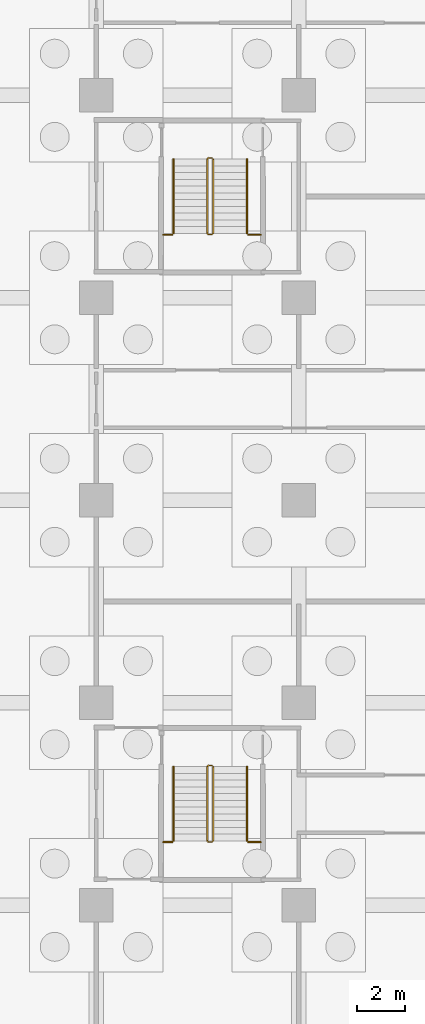
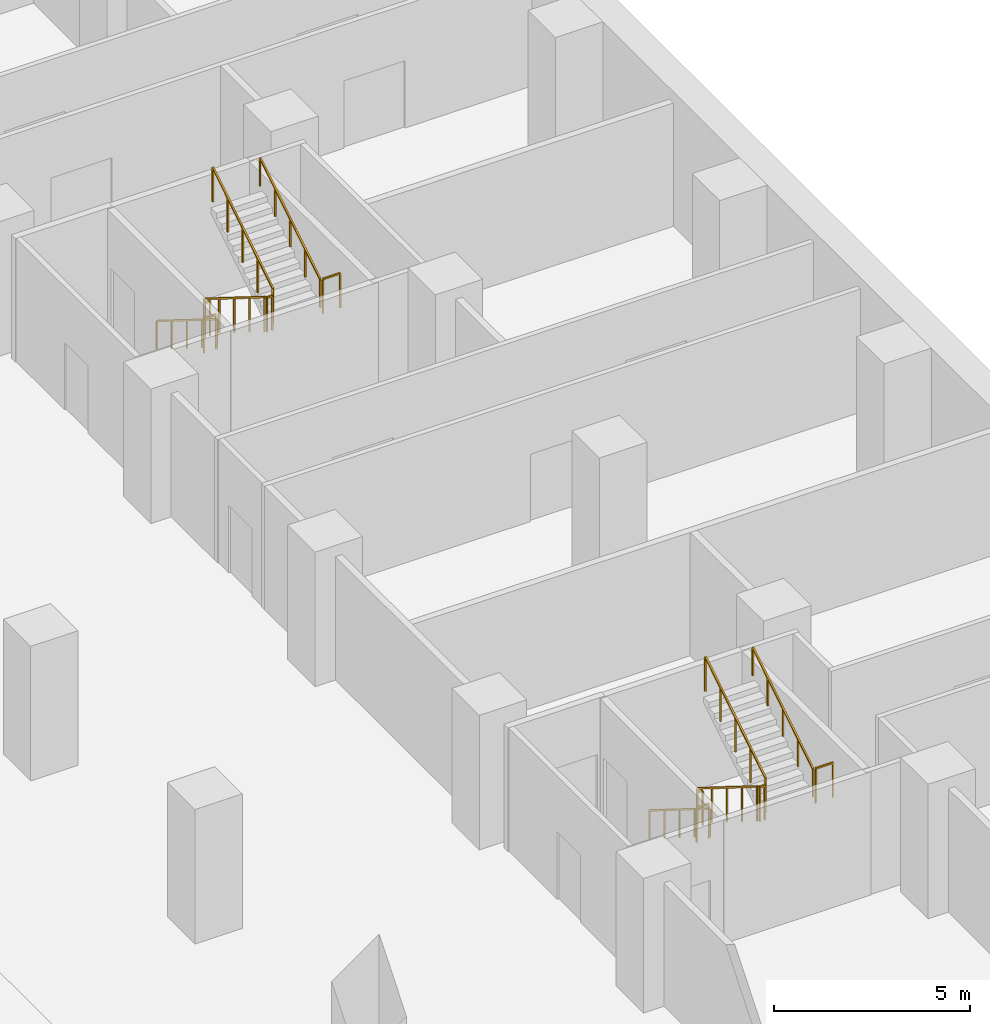
# One storey, part 19 of 22: 10 railings.
"""IFC4 building model written with IfcOpenShell, lengths in metres."""

import ifcopenshell
import ifcopenshell.guid

model = None  # the IFC model being written
_history = None  # IfcOwnerHistory: only IFC2X3 demands one
_inside = {}  # id of a spatial element -> (the spatial element, [elements in it])
_under = {}  # id of a project, library or spatial element -> (it, [spatial elements below it])
_declared = {}  # id of a project -> (the project, [libraries it declares])
_typed = {}  # id of a type object -> (the type object, [elements of that type])
_made_of = {}  # id of a material, layer set ... -> (it, [elements and type objects made of it])


def new_model(schema):
    """Start an empty IFC model of exactly this schema.

    Asked for "IFC4X3", IfcOpenShell would pick the latest addendum, in which some entities
    have other attributes; the version numbers below select the first issue.
    IFC2X3 requires an IfcOwnerHistory on every rooted entity: one is made here for all.
    """
    global model, _history
    if schema == "IFC4X3":
        model = ifcopenshell.file(schema_version=(4, 3, 0, 0))
    else:
        model = ifcopenshell.file(schema=schema)
    _inside.clear()
    _under.clear()
    _declared.clear()
    _typed.clear()
    _made_of.clear()
    _history = None
    if model.schema == "IFC2X3":
        org = make("IfcOrganization", Name="unknown")
        user = make(
            "IfcPersonAndOrganization",
            ThePerson=make("IfcPerson", FamilyName="unknown"),
            TheOrganization=org,
        )
        app = make(
            "IfcApplication",
            ApplicationDeveloper=org,
            Version="unknown",
            ApplicationFullName="unknown",
            ApplicationIdentifier="unknown",
        )
        _history = make(
            "IfcOwnerHistory",
            OwningUser=user,
            OwningApplication=app,
            ChangeAction="ADDED",
            CreationDate=0,
        )
    return model


def make(cls, **values):
    """One entity of the class cls with the attributes given. An attribute that is None is left unset."""
    return model.create_entity(
        cls, **{name: value for name, value in values.items() if value is not None}
    )


def rooted(cls, **values):
    """An entity with a GlobalId (a new one), such as an element, a storey or a relation."""
    return make(cls, GlobalId=ifcopenshell.guid.new(), OwnerHistory=_history, **values)


def si_unit(unit_type, name, prefix=None):
    """IfcSIUnit, for example si_unit("LENGTHUNIT", "METRE", prefix="MILLI")."""
    return make("IfcSIUnit", UnitType=unit_type, Prefix=prefix, Name=name)


def assignment(units):
    """IfcUnitAssignment: the units of a project."""
    return None if units is None else make("IfcUnitAssignment", Units=units)


def point(xyz):
    """IfcCartesianPoint."""
    return None if xyz is None else make("IfcCartesianPoint", Coordinates=xyz)


def direction(xyz):
    """IfcDirection."""
    return None if xyz is None else make("IfcDirection", DirectionRatios=xyz)


def frame(location, z_axis=None, x_axis=None):
    """IfcAxis2Placement3D, a coordinate frame: its origin and axes. An axis left out is left unset."""
    return make(
        "IfcAxis2Placement3D",
        Location=point(location),
        Axis=direction(z_axis),
        RefDirection=direction(x_axis),
    )


def frame_2d(location, x_axis=None):
    """IfcAxis2Placement2D, a coordinate frame in the plane: its origin and x axis."""
    return make(
        "IfcAxis2Placement2D", Location=point(location), RefDirection=direction(x_axis)
    )


def origin():
    """The frame at (0, 0, 0) with its axes left unset."""
    return frame((0.0, 0.0, 0.0))


def origin_2d():
    """The frame at (0, 0) in the plane with its x axis left unset."""
    return frame_2d((0.0, 0.0))


def place(relative_to, where):
    """IfcLocalPlacement: puts the frame where relative to a parent placement (None: the world)."""
    return make(
        "IfcLocalPlacement", PlacementRelTo=relative_to, RelativePlacement=where
    )


def context(
    kind, dimensions, precision=None, world=None, true_north=None, identifier=None
):
    """IfcGeometricRepresentationContext, for example the 3D "Model" context."""
    return make(
        "IfcGeometricRepresentationContext",
        ContextIdentifier=identifier,
        ContextType=kind,
        CoordinateSpaceDimension=dimensions,
        Precision=precision,
        WorldCoordinateSystem=world,
        TrueNorth=true_north,
    )


def subcontext(parent, identifier, kind, view, scale=None):
    """IfcGeometricRepresentationSubContext, for example "Body" below "Model"."""
    return make(
        "IfcGeometricRepresentationSubContext",
        ContextIdentifier=identifier,
        ContextType=kind,
        ParentContext=parent,
        TargetScale=scale,
        TargetView=view,
    )


def project(units=None, contexts=None):
    """IfcProject with its units and contexts."""
    return rooted(
        "IfcProject",
        Name="project",
        RepresentationContexts=contexts,
        UnitsInContext=assignment(units),
    )


def spatial(cls, under=None, at=None, **own):
    """A site, building, storey or space (cls), placed at a placement, below another one or the project."""
    s = rooted(cls, ObjectPlacement=at, **own)
    if under is not None:
        _under.setdefault(under.id(), (under, []))[1].append(s)
    return s


def profile(cls, at=None, kind="AREA", **sizes):
    """A parametric profile (cls). Its sizes go by their IFC names, for example OverallWidth=200.0."""
    return make(cls, ProfileType=kind, Position=at, **sizes)


def rectangle(**sizes):
    """IfcRectangleProfileDef."""
    return profile("IfcRectangleProfileDef", **sizes)


def extrude(swept, where, along, depth):
    """IfcExtrudedAreaSolid: the profile swept, set in the frame where, extruded along a direction by depth."""
    return make(
        "IfcExtrudedAreaSolid",
        SweptArea=swept,
        Position=where,
        ExtrudedDirection=direction(along),
        Depth=depth,
    )


def shape(context_of_items, identifier, shape_type, items):
    """IfcShapeRepresentation: the items that make up one representation, for example the "Body"."""
    return make(
        "IfcShapeRepresentation",
        ContextOfItems=context_of_items,
        RepresentationIdentifier=identifier,
        RepresentationType=shape_type,
        Items=items,
    )


def material(Name=None, Category=None):
    """IfcMaterial."""
    return make("IfcMaterial", Name=Name, Category=Category)


def made_of(thing, what):
    """Note that an element or type object is made of a material, layer set ...; save() writes the relation."""
    if what is not None:
        _made_of.setdefault(what.id(), (what, []))[1].append(thing)
    return thing


def type_object(cls, material=None, **own):
    """A type object (cls), such as IfcWallType, which elements share."""
    return made_of(rooted(cls, **own), material)


def element(
    cls,
    number,
    at=None,
    inside=None,
    cuts=None,
    type_object=None,
    material=None,
    context=None,
    identifier="Body",
    shape_type=None,
    held_by="IfcProductDefinitionShape",
    body=None,
    shapes=None,
    **own,
):
    """One element of the class cls, such as IfcWall. Its Tag is "e" and its number.

    at: its placement. inside: the storey or other place that contains it. cuts: it is an
    opening in that element (IfcRelVoidsElement). A single representation is given by context,
    identifier, shape_type and body (its items); several are given by shapes. held_by: the class
    of the entity that holds the representations. save() writes the other relations.
    """
    e = rooted(cls, Tag="e%d" % number, ObjectPlacement=at, **own)
    if body is not None:
        shapes = [shape(context, identifier, shape_type, body)]
    if shapes is not None:
        e.Representation = make(held_by, Representations=shapes)
    if inside is not None:
        _inside.setdefault(inside.id(), (inside, []))[1].append(e)
    if cuts is not None:
        rooted(
            "IfcRelVoidsElement", RelatingBuildingElement=cuts, RelatedOpeningElement=e
        )
    if type_object is not None:
        _typed.setdefault(type_object.id(), (type_object, []))[1].append(e)
    return made_of(e, material)


def aggregate(whole, parts):
    """IfcRelAggregates: a whole, such as a stair, and the parts it consists of."""
    return rooted("IfcRelAggregates", RelatingObject=whole, RelatedObjects=parts)


def save(model, path):
    """Write the relations noted so far, then the file.

    IfcRelAggregates (storeys below a building ...), IfcRelContainedInSpatialStructure (elements
    in a storey), IfcRelDefinesByType, IfcRelAssociatesMaterial and IfcRelDeclares: one each for
    every whole, place, type object, material and project.
    """
    for whole, parts in _under.values():
        aggregate(whole, parts)
    for where, things in _inside.values():
        rooted(
            "IfcRelContainedInSpatialStructure",
            RelatedElements=things,
            RelatingStructure=where,
        )
    for kind, things in _typed.values():
        rooted("IfcRelDefinesByType", RelatedObjects=things, RelatingType=kind)
    for what, things in _made_of.values():
        rooted("IfcRelAssociatesMaterial", RelatedObjects=things, RelatingMaterial=what)
    for by, libraries in _declared.values():
        rooted("IfcRelDeclares", RelatingContext=by, RelatedDefinitions=libraries)
    model.write(path)


model = new_model("IFC4")

# Units and contexts
model_context = context("Model", 3, precision=1e-05, world=origin(), true_north=direction((0.0, 1.0)))
body_context = subcontext(model_context, "Body", "Model", "MODEL_VIEW")
ifc_project = project(units=[si_unit("LENGTHUNIT", "METRE"), si_unit("AREAUNIT", "SQUARE_METRE"), si_unit("VOLUMEUNIT", "CUBIC_METRE"), si_unit("PLANEANGLEUNIT", "RADIAN"), si_unit("MASSUNIT", "GRAM", prefix="KILO")], contexts=[model_context])

# Site, building, storey
site_placement = place(None, origin())
site = spatial("IfcSite", under=ifc_project, at=site_placement, CompositionType="ELEMENT")
building_placement = place(site_placement, origin())
building = spatial("IfcBuilding", under=site, at=building_placement, Name="Vermilion Ogive Tower", CompositionType="ELEMENT")
storey_placement = place(building_placement, frame((0.0, 0.0, -8.39990234375)))
storey = spatial("IfcBuildingStorey", under=building, at=storey_placement, Name="B2", CompositionType="ELEMENT", Elevation=-8.39990234375)

# Railings
ifc_material_1 = material(Name="Steel S355 painted", Category="steel")
railing_type_1 = type_object("IfcRailingType", Name="Stair guard 1100", PredefinedType="GUARDRAIL", material=ifc_material_1)
railing_1_placement = place(storey_placement, frame((46.800048828125, 1.60009765625, 0.0)))
element("IfcRailing", 1, at=railing_1_placement, inside=storey, type_object=railing_type_1, Name="B2 PEC stair guard 4", PredefinedType="GUARDRAIL", context=body_context, shape_type="SweptSolid", body=[
    extrude(rectangle(XDim=0.048095703125, YDim=0.048095703125, at=origin_2d()), frame((0.0, 0.0, 1.076171875), z_axis=(-1.0, 0.0, 0.0), x_axis=(0.0, -1.0, 0.0)), (0.0, 0.0, 1.0), 0.150146484375),
    extrude(rectangle(XDim=0.048095703125, YDim=0.048095703125, at=origin_2d()), frame((-0.150146484375, 0.0, 1.076171875), z_axis=(-0.264179342666, -0.265474339444, 0.927217692888), x_axis=(0.708833529934, -0.705375805398, 0.0)), (0.0, 0.0, 1.0), 0.1884765625),
    extrude(rectangle(XDim=0.048095703125, YDim=0.048095703125, at=origin_2d()), frame((-0.199951171875, -0.050048828125, 1.2509765625), z_axis=(0.0, -0.847998304005, 0.529998940003), x_axis=(1.0, 0.0, 0.0)), (0.0, 0.0, 1.0), 3.632080078125),
    extrude(rectangle(XDim=0.048095703125, YDim=0.048095703125, at=origin_2d()), frame((-0.199951171875, -3.130126953125, 3.17578125), z_axis=(0.705375805398, -0.708833529934, 0.0), x_axis=(0.708833529934, 0.705375805398, 0.0)), (0.0, 0.0, 1.0), 0.070556640625),
    extrude(rectangle(XDim=0.048095703125, YDim=0.048095703125, at=origin_2d()), frame((-0.150146484375, -3.18017578125, 3.17578125), z_axis=(1.0, 0.0, 0.0), x_axis=(0.0, 1.0, 0.0)), (0.0, 0.0, 1.0), 0.150146484375),
    extrude(rectangle(XDim=0.048095703125, YDim=0.048095703125, at=origin_2d()), frame((0.0, -3.18017578125, 3.17578125), z_axis=(0.265065253269, 0.265065253269, 0.927081885822), x_axis=(-0.707106781187, 0.707106781187, 0.0)), (0.0, 0.0, 1.0), 0.188720703125),
    extrude(rectangle(XDim=0.048095703125, YDim=0.048095703125, at=origin_2d()), frame((0.050048828125, -3.130126953125, 3.35107421875), z_axis=(0.0, 0.847998304005, 0.529998940003), x_axis=(-1.0, 0.0, 0.0)), (0.0, 0.0, 1.0), 3.632080078125),
    extrude(rectangle(XDim=0.0419921875, YDim=0.0419921875, at=origin_2d()), origin(), (0.0, 0.0, 1.0), 1.052001953125),
    extrude(rectangle(XDim=0.0419921875, YDim=0.0419921875, at=origin_2d()), frame((-0.150146484375, 0.0, 0.0)), (0.0, 0.0, 1.0), 1.052001953125),
    extrude(rectangle(XDim=0.0419921875, YDim=0.0419921875, at=origin_2d()), frame((-0.199951171875, -0.050048828125, 0.1748046875)), (0.0, 0.0, 1.0), 1.052001953125),
    extrude(rectangle(XDim=0.0419921875, YDim=0.0419921875, at=origin_2d()), frame((-0.199951171875, -0.820068359375, 0.656005859375)), (0.0, 0.0, 1.0), 1.052001953125),
    extrude(rectangle(XDim=0.0419921875, YDim=0.0419921875, at=origin_2d()), frame((-0.199951171875, -1.590087890625, 1.13720703125)), (0.0, 0.0, 1.0), 1.052001953125),
    extrude(rectangle(XDim=0.0419921875, YDim=0.0419921875, at=origin_2d()), frame((-0.199951171875, -2.360107421875, 1.61865234375)), (0.0, 0.0, 1.0), 1.052001953125),
    extrude(rectangle(XDim=0.0419921875, YDim=0.0419921875, at=origin_2d()), frame((-0.199951171875, -3.130126953125, 2.099853515625)), (0.0, 0.0, 1.0), 1.052001953125),
    extrude(rectangle(XDim=0.0419921875, YDim=0.0419921875, at=origin_2d()), frame((-0.150146484375, -3.18017578125, 2.099853515625)), (0.0, 0.0, 1.0), 1.052001953125),
    extrude(rectangle(XDim=0.0419921875, YDim=0.0419921875, at=origin_2d()), frame((0.0, -3.18017578125, 2.099853515625)), (0.0, 0.0, 1.0), 1.052001953125),
    extrude(rectangle(XDim=0.0419921875, YDim=0.0419921875, at=origin_2d()), frame((0.050048828125, -3.130126953125, 2.27490234375)), (0.0, 0.0, 1.0), 1.052001953125),
    extrude(rectangle(XDim=0.0419921875, YDim=0.0419921875, at=origin_2d()), frame((0.050048828125, -2.360107421875, 2.756103515625)), (0.0, 0.0, 1.0), 1.052001953125),
    extrude(rectangle(XDim=0.0419921875, YDim=0.0419921875, at=origin_2d()), frame((0.050048828125, -1.590087890625, 3.2373046875)), (0.0, 0.0, 1.0), 1.052001953125),
    extrude(rectangle(XDim=0.0419921875, YDim=0.0419921875, at=origin_2d()), frame((0.050048828125, -0.820068359375, 3.71875)), (0.0, 0.0, 1.0), 1.052001953125),
    extrude(rectangle(XDim=0.0419921875, YDim=0.0419921875, at=origin_2d()), frame((0.050048828125, -0.050048828125, 4.199951171875)), (0.0, 0.0, 1.0), 1.052001953125),
])
railing_2_placement = place(storey_placement, frame((46.800048828125, -23.60009765625, 0.0)))
element("IfcRailing", 2, at=railing_2_placement, inside=storey, type_object=railing_type_1, Name="B2 PES stair guard 4", PredefinedType="GUARDRAIL", context=body_context, shape_type="SweptSolid", body=[
    extrude(rectangle(XDim=0.048095703125, YDim=0.048095703125, at=origin_2d()), frame((0.0, 0.0, 1.076171875), z_axis=(-1.0, 0.0, 0.0), x_axis=(0.0, -1.0, 0.0)), (0.0, 0.0, 1.0), 0.150146484375),
    extrude(rectangle(XDim=0.048095703125, YDim=0.048095703125, at=origin_2d()), frame((-0.150146484375, 0.0, 1.076171875), z_axis=(-0.264269989581, -0.264269989581, 0.927535845784), x_axis=(0.707106781187, -0.707106781187, 0.0)), (0.0, 0.0, 1.0), 0.1884765625),
    extrude(rectangle(XDim=0.048095703125, YDim=0.048095703125, at=origin_2d()), frame((-0.199951171875, -0.0498046875, 1.2509765625), z_axis=(0.0, -0.847998304005, 0.529998940003), x_axis=(1.0, 0.0, 0.0)), (0.0, 0.0, 1.0), 3.632080078125),
    extrude(rectangle(XDim=0.048095703125, YDim=0.048095703125, at=origin_2d()), frame((-0.199951171875, -3.1298828125, 3.17578125), z_axis=(0.705375805398, -0.708833529934, 0.0), x_axis=(0.708833529934, 0.705375805398, 0.0)), (0.0, 0.0, 1.0), 0.070556640625),
    extrude(rectangle(XDim=0.048095703125, YDim=0.048095703125, at=origin_2d()), frame((-0.150146484375, -3.179931640625, 3.17578125), z_axis=(1.0, 0.0, 0.0), x_axis=(0.0, 1.0, 0.0)), (0.0, 0.0, 1.0), 0.150146484375),
    extrude(rectangle(XDim=0.048095703125, YDim=0.048095703125, at=origin_2d()), frame((0.0, -3.179931640625, 3.17578125), z_axis=(0.265065253269, 0.265065253269, 0.927081885822), x_axis=(-0.707106781187, 0.707106781187, 0.0)), (0.0, 0.0, 1.0), 0.188720703125),
    extrude(rectangle(XDim=0.048095703125, YDim=0.048095703125, at=origin_2d()), frame((0.050048828125, -3.1298828125, 3.35107421875), z_axis=(0.0, 0.847998304005, 0.529998940003), x_axis=(-1.0, 0.0, 0.0)), (0.0, 0.0, 1.0), 3.632080078125),
    extrude(rectangle(XDim=0.0419921875, YDim=0.0419921875, at=origin_2d()), origin(), (0.0, 0.0, 1.0), 1.052001953125),
    extrude(rectangle(XDim=0.0419921875, YDim=0.0419921875, at=origin_2d()), frame((-0.150146484375, 0.0, 0.0)), (0.0, 0.0, 1.0), 1.052001953125),
    extrude(rectangle(XDim=0.0419921875, YDim=0.0419921875, at=origin_2d()), frame((-0.199951171875, -0.0498046875, 0.1748046875)), (0.0, 0.0, 1.0), 1.052001953125),
    extrude(rectangle(XDim=0.0419921875, YDim=0.0419921875, at=origin_2d()), frame((-0.199951171875, -0.81982421875, 0.656005859375)), (0.0, 0.0, 1.0), 1.052001953125),
    extrude(rectangle(XDim=0.0419921875, YDim=0.0419921875, at=origin_2d()), frame((-0.199951171875, -1.58984375, 1.13720703125)), (0.0, 0.0, 1.0), 1.052001953125),
    extrude(rectangle(XDim=0.0419921875, YDim=0.0419921875, at=origin_2d()), frame((-0.199951171875, -2.35986328125, 1.61865234375)), (0.0, 0.0, 1.0), 1.052001953125),
    extrude(rectangle(XDim=0.0419921875, YDim=0.0419921875, at=origin_2d()), frame((-0.199951171875, -3.1298828125, 2.099853515625)), (0.0, 0.0, 1.0), 1.052001953125),
    extrude(rectangle(XDim=0.0419921875, YDim=0.0419921875, at=origin_2d()), frame((-0.150146484375, -3.179931640625, 2.099853515625)), (0.0, 0.0, 1.0), 1.052001953125),
    extrude(rectangle(XDim=0.0419921875, YDim=0.0419921875, at=origin_2d()), frame((0.0, -3.179931640625, 2.099853515625)), (0.0, 0.0, 1.0), 1.052001953125),
    extrude(rectangle(XDim=0.0419921875, YDim=0.0419921875, at=origin_2d()), frame((0.050048828125, -3.1298828125, 2.27490234375)), (0.0, 0.0, 1.0), 1.052001953125),
    extrude(rectangle(XDim=0.0419921875, YDim=0.0419921875, at=origin_2d()), frame((0.050048828125, -2.35986328125, 2.756103515625)), (0.0, 0.0, 1.0), 1.052001953125),
    extrude(rectangle(XDim=0.0419921875, YDim=0.0419921875, at=origin_2d()), frame((0.050048828125, -1.58984375, 3.2373046875)), (0.0, 0.0, 1.0), 1.052001953125),
    extrude(rectangle(XDim=0.0419921875, YDim=0.0419921875, at=origin_2d()), frame((0.050048828125, -0.81982421875, 3.71875)), (0.0, 0.0, 1.0), 1.052001953125),
    extrude(rectangle(XDim=0.0419921875, YDim=0.0419921875, at=origin_2d()), frame((0.050048828125, -0.0498046875, 4.199951171875)), (0.0, 0.0, 1.0), 1.052001953125),
])
railing_3_placement = place(storey_placement, frame((44.787353515625, -1.580078125, 2.099853515625)))
element("IfcRailing", 3, at=railing_3_placement, inside=storey, type_object=railing_type_1, Name="B2 landing guard", PredefinedType="GUARDRAIL", context=body_context, shape_type="SweptSolid", body=[
    extrude(rectangle(XDim=0.048095703125, YDim=0.048095703125, at=origin_2d()), frame((0.0, 0.0, 1.076171875), z_axis=(1.0, 0.0, 0.0), x_axis=(0.0, 1.0, 0.0)), (0.0, 0.0, 1.0), 0.362548828125),
    extrude(rectangle(XDim=0.0419921875, YDim=0.0419921875, at=origin_2d()), origin(), (0.0, 0.0, 1.0), 1.052001953125),
    extrude(rectangle(XDim=0.0419921875, YDim=0.0419921875, at=origin_2d()), frame((0.362548828125, 0.0, 0.0)), (0.0, 0.0, 1.0), 1.052001953125),
])
railing_4_placement = place(storey_placement, frame((48.300048828125, -1.580078125, 2.099853515625)))
element("IfcRailing", 4, at=railing_4_placement, inside=storey, type_object=railing_type_1, Name="B2 landing guard", PredefinedType="GUARDRAIL", context=body_context, shape_type="SweptSolid", body=[
    extrude(rectangle(XDim=0.048095703125, YDim=0.048095703125, at=origin_2d()), frame((0.0, 0.0, 1.076171875), z_axis=(1.0, 0.0, 0.0), x_axis=(0.0, 1.0, 0.0)), (0.0, 0.0, 1.0), 0.512451171875),
    extrude(rectangle(XDim=0.0419921875, YDim=0.0419921875, at=origin_2d()), origin(), (0.0, 0.0, 1.0), 1.052001953125),
    extrude(rectangle(XDim=0.0419921875, YDim=0.0419921875, at=origin_2d()), frame((0.512451171875, 0.0, 0.0)), (0.0, 0.0, 1.0), 1.052001953125),
])
railing_5_placement = place(storey_placement, frame((44.787353515625, -26.780029296875, 2.099853515625)))
element("IfcRailing", 5, at=railing_5_placement, inside=storey, type_object=railing_type_1, Name="B2 landing guard", PredefinedType="GUARDRAIL", context=body_context, shape_type="SweptSolid", body=[
    extrude(rectangle(XDim=0.048095703125, YDim=0.048095703125, at=origin_2d()), frame((0.0, 0.0, 1.076171875), z_axis=(1.0, 0.0, 0.0), x_axis=(0.0, 1.0, 0.0)), (0.0, 0.0, 1.0), 0.362548828125),
    extrude(rectangle(XDim=0.0419921875, YDim=0.0419921875, at=origin_2d()), origin(), (0.0, 0.0, 1.0), 1.052001953125),
    extrude(rectangle(XDim=0.0419921875, YDim=0.0419921875, at=origin_2d()), frame((0.362548828125, 0.0, 0.0)), (0.0, 0.0, 1.0), 1.052001953125),
])
railing_6_placement = place(storey_placement, frame((48.300048828125, -26.780029296875, 2.099853515625)))
element("IfcRailing", 6, at=railing_6_placement, inside=storey, type_object=railing_type_1, Name="B2 landing guard", PredefinedType="GUARDRAIL", context=body_context, shape_type="SweptSolid", body=[
    extrude(rectangle(XDim=0.048095703125, YDim=0.048095703125, at=origin_2d()), frame((0.0, 0.0, 1.076171875), z_axis=(1.0, 0.0, 0.0), x_axis=(0.0, 1.0, 0.0)), (0.0, 0.0, 1.0), 0.512451171875),
    extrude(rectangle(XDim=0.0419921875, YDim=0.0419921875, at=origin_2d()), origin(), (0.0, 0.0, 1.0), 1.052001953125),
    extrude(rectangle(XDim=0.0419921875, YDim=0.0419921875, at=origin_2d()), frame((0.512451171875, 0.0, 0.0)), (0.0, 0.0, 1.0), 1.052001953125),
])
ifc_material_2 = material(Name="Stainless steel", Category="steel")
railing_type_2 = type_object("IfcRailingType", Name="Stair handrail 900", PredefinedType="HANDRAIL", material=ifc_material_2)
railing_7_placement = place(storey_placement, frame((45.199951171875, 1.550048828125, 0.1748046875)))
element("IfcRailing", 7, at=railing_7_placement, inside=storey, type_object=railing_type_2, Name="B2 PEC stair handrail 1", PredefinedType="HANDRAIL", context=body_context, shape_type="SweptSolid", body=[
    extrude(rectangle(XDim=0.048095703125, YDim=0.048095703125, at=origin_2d()), frame((0.0, 0.0, 0.8759765625), z_axis=(0.0, -0.847998304005, 0.529998940003), x_axis=(1.0, 0.0, 0.0)), (0.0, 0.0, 1.0), 3.632080078125),
    extrude(rectangle(XDim=0.0419921875, YDim=0.0419921875, at=origin_2d()), origin(), (0.0, 0.0, 1.0), 0.851806640625),
    extrude(rectangle(XDim=0.0419921875, YDim=0.0419921875, at=origin_2d()), frame((0.0, -0.77001953125, 0.481201171875)), (0.0, 0.0, 1.0), 0.851806640625),
    extrude(rectangle(XDim=0.0419921875, YDim=0.0419921875, at=origin_2d()), frame((0.0, -1.5400390625, 0.96240234375)), (0.0, 0.0, 1.0), 0.851806640625),
    extrude(rectangle(XDim=0.0419921875, YDim=0.0419921875, at=origin_2d()), frame((0.0, -2.31005859375, 1.44384765625)), (0.0, 0.0, 1.0), 0.851806640625),
    extrude(rectangle(XDim=0.0419921875, YDim=0.0419921875, at=origin_2d()), frame((0.0, -3.080078125, 1.925048828125)), (0.0, 0.0, 1.0), 0.851806640625),
])
railing_8_placement = place(storey_placement, frame((48.25, -1.530029296875, 2.27490234375)))
element("IfcRailing", 8, at=railing_8_placement, inside=storey, type_object=railing_type_2, Name="B2 PEC stair handrail 2", PredefinedType="HANDRAIL", context=body_context, shape_type="SweptSolid", body=[
    extrude(rectangle(XDim=0.048095703125, YDim=0.048095703125, at=origin_2d()), frame((0.0, 0.0, 0.8759765625), z_axis=(0.0, 0.847998304005, 0.529998940003), x_axis=(-1.0, 0.0, 0.0)), (0.0, 0.0, 1.0), 3.632080078125),
    extrude(rectangle(XDim=0.0419921875, YDim=0.0419921875, at=origin_2d()), origin(), (0.0, 0.0, 1.0), 0.851806640625),
    extrude(rectangle(XDim=0.0419921875, YDim=0.0419921875, at=origin_2d()), frame((0.0, 0.77001953125, 0.481201171875)), (0.0, 0.0, 1.0), 0.851806640625),
    extrude(rectangle(XDim=0.0419921875, YDim=0.0419921875, at=origin_2d()), frame((0.0, 1.5400390625, 0.96240234375)), (0.0, 0.0, 1.0), 0.851806640625),
    extrude(rectangle(XDim=0.0419921875, YDim=0.0419921875, at=origin_2d()), frame((0.0, 2.31005859375, 1.44384765625)), (0.0, 0.0, 1.0), 0.851806640625),
    extrude(rectangle(XDim=0.0419921875, YDim=0.0419921875, at=origin_2d()), frame((0.0, 3.080078125, 1.925048828125)), (0.0, 0.0, 1.0), 0.851806640625),
])
railing_9_placement = place(storey_placement, frame((45.199951171875, -23.64990234375, 0.1748046875)))
element("IfcRailing", 9, at=railing_9_placement, inside=storey, type_object=railing_type_2, Name="B2 PES stair handrail 1", PredefinedType="HANDRAIL", context=body_context, shape_type="SweptSolid", body=[
    extrude(rectangle(XDim=0.048095703125, YDim=0.048095703125, at=origin_2d()), frame((0.0, 0.0, 0.8759765625), z_axis=(0.0, -0.847998304005, 0.529998940003), x_axis=(1.0, 0.0, 0.0)), (0.0, 0.0, 1.0), 3.632080078125),
    extrude(rectangle(XDim=0.0419921875, YDim=0.0419921875, at=origin_2d()), origin(), (0.0, 0.0, 1.0), 0.851806640625),
    extrude(rectangle(XDim=0.0419921875, YDim=0.0419921875, at=origin_2d()), frame((0.0, -0.77001953125, 0.481201171875)), (0.0, 0.0, 1.0), 0.851806640625),
    extrude(rectangle(XDim=0.0419921875, YDim=0.0419921875, at=origin_2d()), frame((0.0, -1.5400390625, 0.96240234375)), (0.0, 0.0, 1.0), 0.851806640625),
    extrude(rectangle(XDim=0.0419921875, YDim=0.0419921875, at=origin_2d()), frame((0.0, -2.31005859375, 1.44384765625)), (0.0, 0.0, 1.0), 0.851806640625),
    extrude(rectangle(XDim=0.0419921875, YDim=0.0419921875, at=origin_2d()), frame((0.0, -3.080078125, 1.925048828125)), (0.0, 0.0, 1.0), 0.851806640625),
])
railing_10_placement = place(storey_placement, frame((48.25, -26.72998046875, 2.27490234375)))
element("IfcRailing", 10, at=railing_10_placement, inside=storey, type_object=railing_type_2, Name="B2 PES stair handrail 2", PredefinedType="HANDRAIL", context=body_context, shape_type="SweptSolid", body=[
    extrude(rectangle(XDim=0.048095703125, YDim=0.048095703125, at=origin_2d()), frame((0.0, 0.0, 0.8759765625), z_axis=(0.0, 0.847998304005, 0.529998940003), x_axis=(-1.0, 0.0, 0.0)), (0.0, 0.0, 1.0), 3.632080078125),
    extrude(rectangle(XDim=0.0419921875, YDim=0.0419921875, at=origin_2d()), origin(), (0.0, 0.0, 1.0), 0.851806640625),
    extrude(rectangle(XDim=0.0419921875, YDim=0.0419921875, at=origin_2d()), frame((0.0, 0.77001953125, 0.481201171875)), (0.0, 0.0, 1.0), 0.851806640625),
    extrude(rectangle(XDim=0.0419921875, YDim=0.0419921875, at=origin_2d()), frame((0.0, 1.5400390625, 0.96240234375)), (0.0, 0.0, 1.0), 0.851806640625),
    extrude(rectangle(XDim=0.0419921875, YDim=0.0419921875, at=origin_2d()), frame((0.0, 2.31005859375, 1.44384765625)), (0.0, 0.0, 1.0), 0.851806640625),
    extrude(rectangle(XDim=0.0419921875, YDim=0.0419921875, at=origin_2d()), frame((0.0, 3.080078125, 1.925048828125)), (0.0, 0.0, 1.0), 0.851806640625),
])

save(model, "model.ifc")
